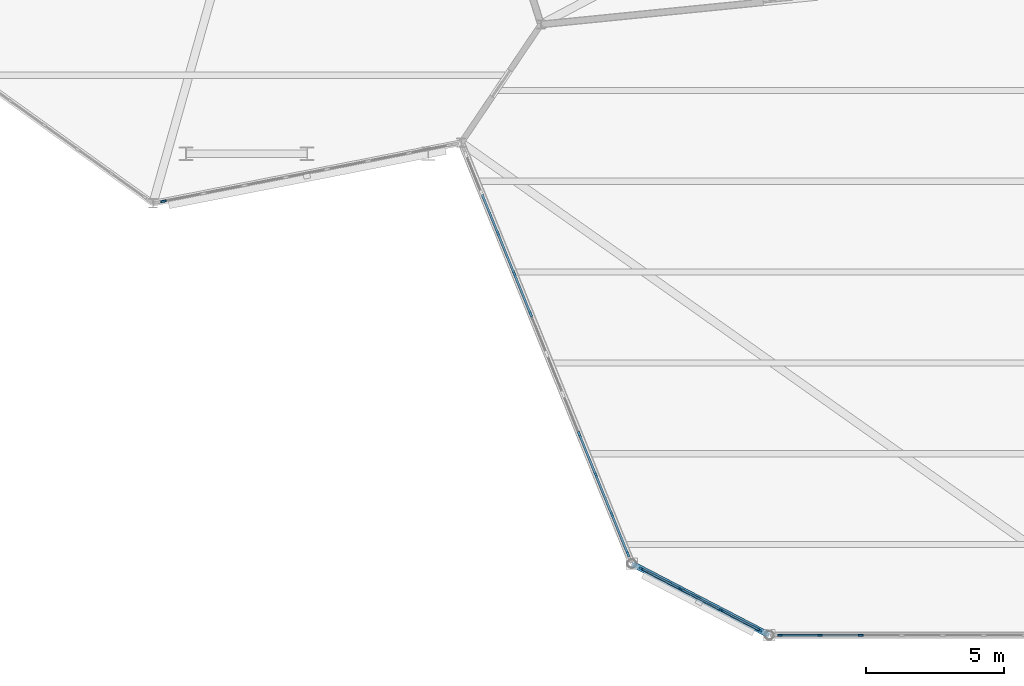
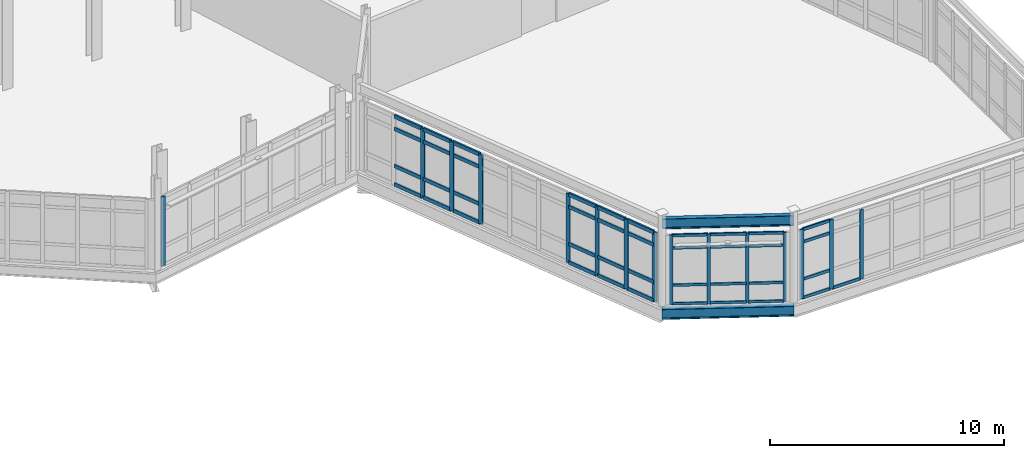
# One storey, part 65 of 134: 56 members, 2 beams, 4 elements without a shape of their own.
"""IFC4 building model written with IfcOpenShell, lengths in metres."""

import ifcopenshell
import ifcopenshell.guid

model = None  # the IFC model being written
_history = None  # IfcOwnerHistory: only IFC2X3 demands one
_inside = {}  # id of a spatial element -> (the spatial element, [elements in it])
_under = {}  # id of a project, library or spatial element -> (it, [spatial elements below it])
_declared = {}  # id of a project -> (the project, [libraries it declares])
_typed = {}  # id of a type object -> (the type object, [elements of that type])
_made_of = {}  # id of a material, layer set ... -> (it, [elements and type objects made of it])


def new_model(schema):
    """Start an empty IFC model of exactly this schema.

    Asked for "IFC4X3", IfcOpenShell would pick the latest addendum, in which some entities
    have other attributes; the version numbers below select the first issue.
    IFC2X3 requires an IfcOwnerHistory on every rooted entity: one is made here for all.
    """
    global model, _history
    if schema == "IFC4X3":
        model = ifcopenshell.file(schema_version=(4, 3, 0, 0))
    else:
        model = ifcopenshell.file(schema=schema)
    _inside.clear()
    _under.clear()
    _declared.clear()
    _typed.clear()
    _made_of.clear()
    _history = None
    if model.schema == "IFC2X3":
        org = make("IfcOrganization", Name="unknown")
        user = make(
            "IfcPersonAndOrganization",
            ThePerson=make("IfcPerson", FamilyName="unknown"),
            TheOrganization=org,
        )
        app = make(
            "IfcApplication",
            ApplicationDeveloper=org,
            Version="unknown",
            ApplicationFullName="unknown",
            ApplicationIdentifier="unknown",
        )
        _history = make(
            "IfcOwnerHistory",
            OwningUser=user,
            OwningApplication=app,
            ChangeAction="ADDED",
            CreationDate=0,
        )
    return model


def make(cls, **values):
    """One entity of the class cls with the attributes given. An attribute that is None is left unset."""
    return model.create_entity(
        cls, **{name: value for name, value in values.items() if value is not None}
    )


def rooted(cls, **values):
    """An entity with a GlobalId (a new one), such as an element, a storey or a relation."""
    return make(cls, GlobalId=ifcopenshell.guid.new(), OwnerHistory=_history, **values)


def si_unit(unit_type, name, prefix=None):
    """IfcSIUnit, for example si_unit("LENGTHUNIT", "METRE", prefix="MILLI")."""
    return make("IfcSIUnit", UnitType=unit_type, Prefix=prefix, Name=name)


def assignment(units):
    """IfcUnitAssignment: the units of a project."""
    return None if units is None else make("IfcUnitAssignment", Units=units)


def point(xyz):
    """IfcCartesianPoint."""
    return None if xyz is None else make("IfcCartesianPoint", Coordinates=xyz)


def direction(xyz):
    """IfcDirection."""
    return None if xyz is None else make("IfcDirection", DirectionRatios=xyz)


def frame(location, z_axis=None, x_axis=None):
    """IfcAxis2Placement3D, a coordinate frame: its origin and axes. An axis left out is left unset."""
    return make(
        "IfcAxis2Placement3D",
        Location=point(location),
        Axis=direction(z_axis),
        RefDirection=direction(x_axis),
    )


def frame_2d(location, x_axis=None):
    """IfcAxis2Placement2D, a coordinate frame in the plane: its origin and x axis."""
    return make(
        "IfcAxis2Placement2D", Location=point(location), RefDirection=direction(x_axis)
    )


def origin():
    """The frame at (0, 0, 0) with its axes left unset."""
    return frame((0.0, 0.0, 0.0))


def origin_2d():
    """The frame at (0, 0) in the plane with its x axis left unset."""
    return frame_2d((0.0, 0.0))


def place(relative_to, where):
    """IfcLocalPlacement: puts the frame where relative to a parent placement (None: the world)."""
    return make(
        "IfcLocalPlacement", PlacementRelTo=relative_to, RelativePlacement=where
    )


def context(
    kind, dimensions, precision=None, world=None, true_north=None, identifier=None
):
    """IfcGeometricRepresentationContext, for example the 3D "Model" context."""
    return make(
        "IfcGeometricRepresentationContext",
        ContextIdentifier=identifier,
        ContextType=kind,
        CoordinateSpaceDimension=dimensions,
        Precision=precision,
        WorldCoordinateSystem=world,
        TrueNorth=true_north,
    )


def subcontext(parent, identifier, kind, view, scale=None):
    """IfcGeometricRepresentationSubContext, for example "Body" below "Model"."""
    return make(
        "IfcGeometricRepresentationSubContext",
        ContextIdentifier=identifier,
        ContextType=kind,
        ParentContext=parent,
        TargetScale=scale,
        TargetView=view,
    )


def project(units=None, contexts=None):
    """IfcProject with its units and contexts."""
    return rooted(
        "IfcProject",
        Name="project",
        RepresentationContexts=contexts,
        UnitsInContext=assignment(units),
    )


def spatial(cls, under=None, at=None, **own):
    """A site, building, storey or space (cls), placed at a placement, below another one or the project."""
    s = rooted(cls, ObjectPlacement=at, **own)
    if under is not None:
        _under.setdefault(under.id(), (under, []))[1].append(s)
    return s


def profile(cls, at=None, kind="AREA", **sizes):
    """A parametric profile (cls). Its sizes go by their IFC names, for example OverallWidth=200.0."""
    return make(cls, ProfileType=kind, Position=at, **sizes)


def rectangle(**sizes):
    """IfcRectangleProfileDef."""
    return profile("IfcRectangleProfileDef", **sizes)


def i_section(**sizes):
    """IfcIShapeProfileDef."""
    return profile("IfcIShapeProfileDef", **sizes)


def extrude(swept, where, along, depth):
    """IfcExtrudedAreaSolid: the profile swept, set in the frame where, extruded along a direction by depth."""
    return make(
        "IfcExtrudedAreaSolid",
        SweptArea=swept,
        Position=where,
        ExtrudedDirection=direction(along),
        Depth=depth,
    )


def shape(context_of_items, identifier, shape_type, items):
    """IfcShapeRepresentation: the items that make up one representation, for example the "Body"."""
    return make(
        "IfcShapeRepresentation",
        ContextOfItems=context_of_items,
        RepresentationIdentifier=identifier,
        RepresentationType=shape_type,
        Items=items,
    )


def material(Name=None, Category=None):
    """IfcMaterial."""
    return make("IfcMaterial", Name=Name, Category=Category)


def material_profile(
    of_material, cross_section, Name=None, Category=None, Priority=None
):
    """IfcMaterialProfile: a cross section and its material."""
    return make(
        "IfcMaterialProfile",
        Name=Name,
        Material=of_material,
        Profile=cross_section,
        Priority=Priority,
        Category=Category,
    )


def profile_set(profiles, Name=None, composite=None):
    """IfcMaterialProfileSet."""
    return make(
        "IfcMaterialProfileSet",
        Name=Name,
        MaterialProfiles=profiles,
        CompositeProfile=composite,
    )


def made_of(thing, what):
    """Note that an element or type object is made of a material, layer set ...; save() writes the relation."""
    if what is not None:
        _made_of.setdefault(what.id(), (what, []))[1].append(thing)
    return thing


def type_object(cls, material=None, **own):
    """A type object (cls), such as IfcWallType, which elements share."""
    return made_of(rooted(cls, **own), material)


def element(
    cls,
    number,
    at=None,
    inside=None,
    cuts=None,
    type_object=None,
    material=None,
    context=None,
    identifier="Body",
    shape_type=None,
    held_by="IfcProductDefinitionShape",
    body=None,
    shapes=None,
    **own,
):
    """One element of the class cls, such as IfcWall. Its Tag is "e" and its number.

    at: its placement. inside: the storey or other place that contains it. cuts: it is an
    opening in that element (IfcRelVoidsElement). A single representation is given by context,
    identifier, shape_type and body (its items); several are given by shapes. held_by: the class
    of the entity that holds the representations. save() writes the other relations.
    """
    e = rooted(cls, Tag="e%d" % number, ObjectPlacement=at, **own)
    if body is not None:
        shapes = [shape(context, identifier, shape_type, body)]
    if shapes is not None:
        e.Representation = make(held_by, Representations=shapes)
    if inside is not None:
        _inside.setdefault(inside.id(), (inside, []))[1].append(e)
    if cuts is not None:
        rooted(
            "IfcRelVoidsElement", RelatingBuildingElement=cuts, RelatedOpeningElement=e
        )
    if type_object is not None:
        _typed.setdefault(type_object.id(), (type_object, []))[1].append(e)
    return made_of(e, material)


def aggregate(whole, parts):
    """IfcRelAggregates: a whole, such as a stair, and the parts it consists of."""
    return rooted("IfcRelAggregates", RelatingObject=whole, RelatedObjects=parts)


def save(model, path):
    """Write the relations noted so far, then the file.

    IfcRelAggregates (storeys below a building ...), IfcRelContainedInSpatialStructure (elements
    in a storey), IfcRelDefinesByType, IfcRelAssociatesMaterial and IfcRelDeclares: one each for
    every whole, place, type object, material and project.
    """
    for whole, parts in _under.values():
        aggregate(whole, parts)
    for where, things in _inside.values():
        rooted(
            "IfcRelContainedInSpatialStructure",
            RelatedElements=things,
            RelatingStructure=where,
        )
    for kind, things in _typed.values():
        rooted("IfcRelDefinesByType", RelatedObjects=things, RelatingType=kind)
    for what, things in _made_of.values():
        rooted("IfcRelAssociatesMaterial", RelatedObjects=things, RelatingMaterial=what)
    for by, libraries in _declared.values():
        rooted("IfcRelDeclares", RelatingContext=by, RelatedDefinitions=libraries)
    model.write(path)


model = new_model("IFC4")

# Units and contexts
model_context = context("Model", 3, precision=1e-05, world=origin(), true_north=direction((0.0, 1.0)))
body_context = subcontext(model_context, "Body", "Model", "MODEL_VIEW")
ifc_project = project(units=[si_unit("LENGTHUNIT", "METRE"), si_unit("AREAUNIT", "SQUARE_METRE"), si_unit("VOLUMEUNIT", "CUBIC_METRE"), si_unit("PLANEANGLEUNIT", "RADIAN"), si_unit("MASSUNIT", "GRAM", prefix="KILO")], contexts=[model_context])

# Site, building, storey
site_placement = place(None, origin())
site = spatial("IfcSite", under=ifc_project, at=site_placement, CompositionType="ELEMENT")
building_placement = place(site_placement, origin())
building = spatial("IfcBuilding", under=site, at=building_placement, Name="Tameran Prism Museum", CompositionType="ELEMENT")
storey_placement = place(building_placement, frame((0.0, 0.0, 5.39990234375)))
storey = spatial("IfcBuildingStorey", under=building, at=storey_placement, Name="L01", CompositionType="ELEMENT", Elevation=5.39990234375)

# Beams
ifc_material_1 = material(Name="Steel Grade 300PLUS (300 MPa)", Category="steel")
ifc_material_profile_1 = material_profile(ifc_material_1, i_section(OverallWidth=0.208984375, OverallDepth=0.528076171875, WebThickness=0.009521484375, FlangeThickness=0.01318359375, FilletRadius=0.013916015625, at=origin_2d()))
ifc_profile_set_1 = profile_set([ifc_material_profile_1])
beam_type = type_object("IfcBeamType", Name="BM-SP530B", PredefinedType="SPANDREL", material=ifc_profile_set_1)
for number, where, z_axis, x_axis, name in (
    (1, (147.300048828125, 2.60009765625, -0.4638671875), (0.887209708306, -0.461366376634, 0.0), (0.461366376634, 0.887209708306, 0.0), "Perimeter Spandrel SP-0372"),
    (2, (147.300048828125, 2.60009765625, 4.256103515625), (0.887209708306, -0.461366376634, 0.0), (0.461366376634, 0.887209708306, 0.0), "Roof Ring Beam RB-0378"),
):
    element("IfcBeam", number, at=place(storey_placement, frame(where, z_axis=z_axis, x_axis=x_axis)), inside=storey, type_object=beam_type, Name=name, PredefinedType="SPANDREL", context=body_context, shape_type="SweptSolid", body=[
        extrude(i_section(OverallWidth=0.208984375, OverallDepth=0.528076171875, WebThickness=0.009521484375, FlangeThickness=0.01318359375, FilletRadius=0.013916015625, at=origin_2d()), origin(), (0.0, 0.0, 1.0), 5.6357421875),
    ])

# Curtain wall, members
ifc_material_2 = material(Name="Anodised Aluminium 6063-T6 and Cyclone Solar Glass", Category="aluminium")
curtain_wall_type_1 = type_object("IfcCurtainWallType", Name="CW-FAC-494x362", PredefinedType="USERDEFINED", material=ifc_material_2)
curtain_wall_1_placement = place(storey_placement, origin())
curtain_wall_1 = element("IfcCurtainWall", 3, at=curtain_wall_1_placement, inside=storey, type_object=curtain_wall_type_1, Name="Unitised Curtain Wall CW-079", ObjectType="UNITISED CURTAIN WALL", PredefinedType="USERDEFINED")
ifc_material_3 = material(Name="Anodised Aluminium Alloy 6063-T6", Category="aluminium")
ifc_material_profile_2 = material_profile(ifc_material_3, rectangle(XDim=0.06494140625, YDim=0.159912109375, at=origin_2d()))
ifc_profile_set_2 = profile_set([ifc_material_profile_2])
member_type_1 = type_object("IfcMemberType", Name="CW-MUL-A", PredefinedType="MULLION", material=ifc_profile_set_2)
member_1_placement = place(storey_placement, frame((151.960205078125, 0.176025390625, 0.0), z_axis=(0.0, 0.0, 1.0), x_axis=(-0.461582398188, -0.887097339463, 0.0)))
member_1 = element("IfcMember", 4, at=member_1_placement, type_object=member_type_1, Name="CW-079 mullion 1", PredefinedType="MULLION", context=body_context, shape_type="SweptSolid", body=[
    extrude(rectangle(XDim=0.06494140625, YDim=0.159912109375, at=origin_2d()), origin(), (0.0, 0.0, 1.0), 3.6201171875),
])
member_2_placement = place(storey_placement, frame((150.52978515625, 0.92041015625, 0.0), z_axis=(0.0, 0.0, 1.0), x_axis=(-0.461582398188, -0.887097339463, 0.0)))
member_2 = element("IfcMember", 5, at=member_2_placement, type_object=member_type_1, Name="CW-079 mullion 2", PredefinedType="MULLION", context=body_context, shape_type="SweptSolid", body=[
    extrude(rectangle(XDim=0.06494140625, YDim=0.159912109375, at=origin_2d()), origin(), (0.0, 0.0, 1.0), 3.6201171875),
])
member_3_placement = place(storey_placement, frame((149.0703125, 1.6796875, 0.0), z_axis=(0.0, 0.0, 1.0), x_axis=(-0.461582398188, -0.887097339463, 0.0)))
member_3 = element("IfcMember", 6, at=member_3_placement, type_object=member_type_1, Name="CW-079 mullion 3", PredefinedType="MULLION", context=body_context, shape_type="SweptSolid", body=[
    extrude(rectangle(XDim=0.06494140625, YDim=0.159912109375, at=origin_2d()), origin(), (0.0, 0.0, 1.0), 3.6201171875),
])
member_4_placement = place(storey_placement, frame((147.639892578125, 2.424072265625, 0.0), z_axis=(0.0, 0.0, 1.0), x_axis=(-0.461582398188, -0.887097339463, 0.0)))
member_4 = element("IfcMember", 7, at=member_4_placement, type_object=member_type_1, Name="CW-079 mullion 4", PredefinedType="MULLION", context=body_context, shape_type="SweptSolid", body=[
    extrude(rectangle(XDim=0.06494140625, YDim=0.159912109375, at=origin_2d()), origin(), (0.0, 0.0, 1.0), 3.6201171875),
])

ifc_material_4 = material(Name="Anodised Aluminium 6063-T6 and Cyclone Solar Glass", Category="aluminium")
curtain_wall_type_2 = type_object("IfcCurtainWallType", Name="CW-FAC-1340x362", PredefinedType="USERDEFINED", material=ifc_material_4)
curtain_wall_2_placement = place(storey_placement, origin())
curtain_wall_2 = element("IfcCurtainWall", 8, at=curtain_wall_2_placement, inside=storey, type_object=curtain_wall_type_2, Name="Unitised Curtain Wall CW-080", ObjectType="UNITISED CURTAIN WALL", PredefinedType="USERDEFINED")
ifc_material_5 = material(Name="Anodised Aluminium Alloy 6063-T6", Category="aluminium")
ifc_material_profile_3 = material_profile(ifc_material_5, rectangle(XDim=0.070068359375, YDim=0.179931640625, at=origin_2d()))
ifc_profile_set_3 = profile_set([ifc_material_profile_3])
member_type_2 = type_object("IfcMemberType", Name="CW-MUL-B", PredefinedType="MULLION", material=ifc_profile_set_3)
member_5_placement = place(storey_placement, frame((155.627685546875, 0.0, 0.0), z_axis=(0.0, 0.0, 1.0), x_axis=(0.0, -1.0, 0.0)))
member_5 = element("IfcMember", 9, at=member_5_placement, type_object=member_type_2, Name="CW-080 mullion 8", PredefinedType="MULLION", context=body_context, shape_type="SweptSolid", body=[
    extrude(rectangle(XDim=0.070068359375, YDim=0.179931640625, at=origin_2d()), origin(), (0.0, 0.0, 1.0), 3.6201171875),
])
member_6_placement = place(storey_placement, frame((154.138916015625, 0.0, 0.0), z_axis=(0.0, 0.0, 1.0), x_axis=(0.0, -1.0, 0.0)))
member_6 = element("IfcMember", 10, at=member_6_placement, type_object=member_type_2, Name="CW-080 mullion 9", PredefinedType="MULLION", context=body_context, shape_type="SweptSolid", body=[
    extrude(rectangle(XDim=0.070068359375, YDim=0.179931640625, at=origin_2d()), origin(), (0.0, 0.0, 1.0), 3.6201171875),
])
member_7_placement = place(storey_placement, frame((152.68505859375, 0.0, 0.0), z_axis=(0.0, 0.0, 1.0), x_axis=(0.0, -1.0, 0.0)))
member_7 = element("IfcMember", 11, at=member_7_placement, type_object=member_type_2, Name="CW-080 mullion 10", PredefinedType="MULLION", context=body_context, shape_type="SweptSolid", body=[
    extrude(rectangle(XDim=0.070068359375, YDim=0.179931640625, at=origin_2d()), origin(), (0.0, 0.0, 1.0), 3.6201171875),
])

# Curtain wall, member
ifc_material_6 = material(Name="Anodised Aluminium 6063-T6 and Cyclone Solar Glass", Category="aluminium")
curtain_wall_type_3 = type_object("IfcCurtainWallType", Name="CW-FAC-1065x362", PredefinedType="USERDEFINED", material=ifc_material_6)
curtain_wall_3_placement = place(storey_placement, origin())
curtain_wall_3 = element("IfcCurtainWall", 12, at=curtain_wall_3_placement, inside=storey, type_object=curtain_wall_type_3, Name="Unitised Curtain Wall CW-077", ObjectType="UNITISED CURTAIN WALL", PredefinedType="USERDEFINED")
ifc_material_7 = material(Name="Anodised Aluminium Alloy 6063-T6", Category="aluminium")
ifc_material_profile_4 = material_profile(ifc_material_7, rectangle(XDim=0.074951171875, YDim=0.199951171875, at=origin_2d()))
ifc_profile_set_4 = profile_set([ifc_material_profile_4])
member_type_3 = type_object("IfcMemberType", Name="CW-MUL-C", PredefinedType="MULLION", material=ifc_profile_set_4)
member_8_placement = place(storey_placement, frame((130.27978515625, 15.774169921875, 0.0), z_axis=(0.0, 0.0, 1.0), x_axis=(0.192775964228, -0.981242797485, 0.0)))
member_8 = element("IfcMember", 13, at=member_8_placement, type_object=member_type_3, Name="CW-077 mullion 8", PredefinedType="MULLION", context=body_context, shape_type="SweptSolid", body=[
    extrude(rectangle(XDim=0.074951171875, YDim=0.199951171875, at=origin_2d()), origin(), (0.0, 0.0, 1.0), 3.6201171875),
])
aggregate(curtain_wall_3, [member_8])

# Curtain wall, members
ifc_material_8 = material(Name="Anodised Aluminium 6063-T6 and Cyclone Solar Glass", Category="aluminium")
curtain_wall_type_4 = type_object("IfcCurtainWallType", Name="CW-FAC-1575x362", PredefinedType="USERDEFINED", material=ifc_material_8)
curtain_wall_4_placement = place(storey_placement, origin())
curtain_wall_4 = element("IfcCurtainWall", 14, at=curtain_wall_4_placement, inside=storey, type_object=curtain_wall_type_4, Name="Unitised Curtain Wall CW-078", ObjectType="UNITISED CURTAIN WALL", PredefinedType="USERDEFINED")
ifc_material_9 = material(Name="Anodised Aluminium Alloy 6063-T6", Category="aluminium")
ifc_material_profile_5 = material_profile(ifc_material_9, rectangle(XDim=0.080078125, YDim=0.219970703125, at=origin_2d()))
ifc_profile_set_5 = profile_set([ifc_material_profile_5])
member_type_4 = type_object("IfcMemberType", Name="CW-MUL-D", PredefinedType="MULLION", material=ifc_profile_set_5)
member_9_placement = place(storey_placement, frame((147.154052734375, 2.961181640625, 0.0), z_axis=(0.0, 0.0, 1.0), x_axis=(-0.926790048719, -0.375579825863, 0.0)))
member_9 = element("IfcMember", 15, at=member_9_placement, type_object=member_type_4, Name="CW-078 mullion 1", PredefinedType="MULLION", context=body_context, shape_type="SweptSolid", body=[
    extrude(rectangle(XDim=0.080078125, YDim=0.219970703125, at=origin_2d()), origin(), (0.0, 0.0, 1.0), 3.6201171875),
])
member_10_placement = place(storey_placement, frame((146.577392578125, 4.383544921875, 0.0), z_axis=(0.0, 0.0, 1.0), x_axis=(-0.926790048719, -0.375579825863, 0.0)))
member_10 = element("IfcMember", 16, at=member_10_placement, type_object=member_type_4, Name="CW-078 mullion 2", PredefinedType="MULLION", context=body_context, shape_type="SweptSolid", body=[
    extrude(rectangle(XDim=0.080078125, YDim=0.219970703125, at=origin_2d()), origin(), (0.0, 0.0, 1.0), 3.6201171875),
])
member_11_placement = place(storey_placement, frame((145.986083984375, 5.84326171875, 0.0), z_axis=(0.0, 0.0, 1.0), x_axis=(-0.926790048719, -0.375579825863, 0.0)))
member_11 = element("IfcMember", 17, at=member_11_placement, type_object=member_type_4, Name="CW-078 mullion 3", PredefinedType="MULLION", context=body_context, shape_type="SweptSolid", body=[
    extrude(rectangle(XDim=0.080078125, YDim=0.219970703125, at=origin_2d()), origin(), (0.0, 0.0, 1.0), 3.6201171875),
])
member_12_placement = place(storey_placement, frame((145.39453125, 7.302734375, 0.0), z_axis=(0.0, 0.0, 1.0), x_axis=(-0.926790048719, -0.375579825863, 0.0)))
member_12 = element("IfcMember", 18, at=member_12_placement, type_object=member_type_4, Name="CW-078 mullion 4", PredefinedType="MULLION", context=body_context, shape_type="SweptSolid", body=[
    extrude(rectangle(XDim=0.080078125, YDim=0.219970703125, at=origin_2d()), origin(), (0.0, 0.0, 1.0), 3.6201171875),
])
member_13_placement = place(storey_placement, frame((143.6201171875, 11.681640625, 0.0), z_axis=(0.0, 0.0, 1.0), x_axis=(-0.926790048719, -0.375579825863, 0.0)))
member_13 = element("IfcMember", 19, at=member_13_placement, type_object=member_type_4, Name="CW-078 mullion 7", PredefinedType="MULLION", context=body_context, shape_type="SweptSolid", body=[
    extrude(rectangle(XDim=0.080078125, YDim=0.219970703125, at=origin_2d()), origin(), (0.0, 0.0, 1.0), 3.6201171875),
])
member_14_placement = place(storey_placement, frame((143.028564453125, 13.14111328125, 0.0), z_axis=(0.0, 0.0, 1.0), x_axis=(-0.926790048719, -0.375579825863, 0.0)))
member_14 = element("IfcMember", 20, at=member_14_placement, type_object=member_type_4, Name="CW-078 mullion 8", PredefinedType="MULLION", context=body_context, shape_type="SweptSolid", body=[
    extrude(rectangle(XDim=0.080078125, YDim=0.219970703125, at=origin_2d()), origin(), (0.0, 0.0, 1.0), 3.6201171875),
])
member_15_placement = place(storey_placement, frame((142.43701171875, 14.600830078125, 0.0), z_axis=(0.0, 0.0, 1.0), x_axis=(-0.926790048719, -0.375579825863, 0.0)))
member_15 = element("IfcMember", 21, at=member_15_placement, type_object=member_type_4, Name="CW-078 mullion 9", PredefinedType="MULLION", context=body_context, shape_type="SweptSolid", body=[
    extrude(rectangle(XDim=0.080078125, YDim=0.219970703125, at=origin_2d()), origin(), (0.0, 0.0, 1.0), 3.6201171875),
])

# Member
ifc_material_10 = material(Name="Anodised Aluminium Alloy 6063-T6", Category="aluminium")
ifc_material_profile_6 = material_profile(ifc_material_10, rectangle(XDim=0.06494140625, YDim=0.139892578125, at=origin_2d()))
ifc_profile_set_6 = profile_set([ifc_material_profile_6])
member_type_5 = type_object("IfcMemberType", Name="CW-TRN-A", PredefinedType="USERDEFINED", material=ifc_profile_set_6)
member_16_placement = place(storey_placement, frame((151.931396484375, 0.19091796875, 0.03271484375), z_axis=(-0.887085033398, 0.461606047968, 0.0), x_axis=(-0.461606047968, -0.887085033398, 0.0)))
member_16 = element("IfcMember", 22, at=member_16_placement, type_object=member_type_5, Name="CW-079 transom 1.1", ObjectType="TRANSOM", PredefinedType="USERDEFINED", context=body_context, shape_type="SweptSolid", body=[
    extrude(rectangle(XDim=0.06494140625, YDim=0.139892578125, at=origin_2d()), origin(), (0.0, 0.0, 1.0), 1.547607421875),
])

member_17_placement = place(storey_placement, frame((151.931396484375, 0.19091796875, 1.0), z_axis=(-0.887085033398, 0.461606047968, 0.0), x_axis=(-0.461606047968, -0.887085033398, 0.0)))
member_17 = element("IfcMember", 23, at=member_17_placement, type_object=member_type_5, Name="CW-079 transom 1.2", ObjectType="TRANSOM", PredefinedType="USERDEFINED", context=body_context, shape_type="SweptSolid", body=[
    extrude(rectangle(XDim=0.06494140625, YDim=0.139892578125, at=origin_2d()), origin(), (0.0, 0.0, 1.0), 1.547607421875),
])

member_18_placement = place(storey_placement, frame((151.931396484375, 0.19091796875, 2.940185546875), z_axis=(-0.887085033398, 0.461606047968, 0.0), x_axis=(-0.461606047968, -0.887085033398, 0.0)))
member_18 = element("IfcMember", 24, at=member_18_placement, type_object=member_type_5, Name="CW-079 transom 1.3", ObjectType="TRANSOM", PredefinedType="USERDEFINED", context=body_context, shape_type="SweptSolid", body=[
    extrude(rectangle(XDim=0.06494140625, YDim=0.139892578125, at=origin_2d()), origin(), (0.0, 0.0, 1.0), 1.547607421875),
])

member_19_placement = place(storey_placement, frame((151.931396484375, 0.19091796875, 3.587646484375), z_axis=(-0.887085033398, 0.461606047968, 0.0), x_axis=(-0.461606047968, -0.887085033398, 0.0)))
member_19 = element("IfcMember", 25, at=member_19_placement, type_object=member_type_5, Name="CW-079 transom 1.4", ObjectType="TRANSOM", PredefinedType="USERDEFINED", context=body_context, shape_type="SweptSolid", body=[
    extrude(rectangle(XDim=0.06494140625, YDim=0.139892578125, at=origin_2d()), origin(), (0.0, 0.0, 1.0), 1.547607421875),
])

member_20_placement = place(storey_placement, frame((150.500732421875, 0.935302734375, 0.03271484375), z_axis=(-0.887110519535, 0.461557067036, 0.0), x_axis=(-0.461557067036, -0.887110519535, 0.0)))
member_20 = element("IfcMember", 26, at=member_20_placement, type_object=member_type_5, Name="CW-079 transom 2.1", ObjectType="TRANSOM", PredefinedType="USERDEFINED", context=body_context, shape_type="SweptSolid", body=[
    extrude(rectangle(XDim=0.06494140625, YDim=0.139892578125, at=origin_2d()), origin(), (0.0, 0.0, 1.0), 1.580078125),
])

member_21_placement = place(storey_placement, frame((150.500732421875, 0.935302734375, 1.0), z_axis=(-0.887110519535, 0.461557067036, 0.0), x_axis=(-0.461557067036, -0.887110519535, 0.0)))
member_21 = element("IfcMember", 27, at=member_21_placement, type_object=member_type_5, Name="CW-079 transom 2.2", ObjectType="TRANSOM", PredefinedType="USERDEFINED", context=body_context, shape_type="SweptSolid", body=[
    extrude(rectangle(XDim=0.06494140625, YDim=0.139892578125, at=origin_2d()), origin(), (0.0, 0.0, 1.0), 1.580078125),
])

member_22_placement = place(storey_placement, frame((150.500732421875, 0.935302734375, 2.940185546875), z_axis=(-0.887110519535, 0.461557067036, 0.0), x_axis=(-0.461557067036, -0.887110519535, 0.0)))
member_22 = element("IfcMember", 28, at=member_22_placement, type_object=member_type_5, Name="CW-079 transom 2.3", ObjectType="TRANSOM", PredefinedType="USERDEFINED", context=body_context, shape_type="SweptSolid", body=[
    extrude(rectangle(XDim=0.06494140625, YDim=0.139892578125, at=origin_2d()), origin(), (0.0, 0.0, 1.0), 1.580078125),
])

member_23_placement = place(storey_placement, frame((150.500732421875, 0.935302734375, 3.587646484375), z_axis=(-0.887110519535, 0.461557067036, 0.0), x_axis=(-0.461557067036, -0.887110519535, 0.0)))
member_23 = element("IfcMember", 29, at=member_23_placement, type_object=member_type_5, Name="CW-079 transom 2.4", ObjectType="TRANSOM", PredefinedType="USERDEFINED", context=body_context, shape_type="SweptSolid", body=[
    extrude(rectangle(XDim=0.06494140625, YDim=0.139892578125, at=origin_2d()), origin(), (0.0, 0.0, 1.0), 1.580078125),
])

member_24_placement = place(storey_placement, frame((149.04150390625, 1.694580078125, 0.03271484375), z_axis=(-0.887085033398, 0.461606047968, 0.0), x_axis=(-0.461606047968, -0.887085033398, 0.0)))
member_24 = element("IfcMember", 30, at=member_24_placement, type_object=member_type_5, Name="CW-079 transom 3.1", ObjectType="TRANSOM", PredefinedType="USERDEFINED", context=body_context, shape_type="SweptSolid", body=[
    extrude(rectangle(XDim=0.06494140625, YDim=0.139892578125, at=origin_2d()), origin(), (0.0, 0.0, 1.0), 1.547607421875),
])

member_25_placement = place(storey_placement, frame((149.04150390625, 1.694580078125, 1.0), z_axis=(-0.887085033398, 0.461606047968, 0.0), x_axis=(-0.461606047968, -0.887085033398, 0.0)))
member_25 = element("IfcMember", 31, at=member_25_placement, type_object=member_type_5, Name="CW-079 transom 3.2", ObjectType="TRANSOM", PredefinedType="USERDEFINED", context=body_context, shape_type="SweptSolid", body=[
    extrude(rectangle(XDim=0.06494140625, YDim=0.139892578125, at=origin_2d()), origin(), (0.0, 0.0, 1.0), 1.547607421875),
])

member_26_placement = place(storey_placement, frame((149.04150390625, 1.694580078125, 2.940185546875), z_axis=(-0.887085033398, 0.461606047968, 0.0), x_axis=(-0.461606047968, -0.887085033398, 0.0)))
member_26 = element("IfcMember", 32, at=member_26_placement, type_object=member_type_5, Name="CW-079 transom 3.3", ObjectType="TRANSOM", PredefinedType="USERDEFINED", context=body_context, shape_type="SweptSolid", body=[
    extrude(rectangle(XDim=0.06494140625, YDim=0.139892578125, at=origin_2d()), origin(), (0.0, 0.0, 1.0), 1.547607421875),
])

member_27_placement = place(storey_placement, frame((149.04150390625, 1.694580078125, 3.587646484375), z_axis=(-0.887085033398, 0.461606047968, 0.0), x_axis=(-0.461606047968, -0.887085033398, 0.0)))
member_27 = element("IfcMember", 33, at=member_27_placement, type_object=member_type_5, Name="CW-079 transom 3.4", ObjectType="TRANSOM", PredefinedType="USERDEFINED", context=body_context, shape_type="SweptSolid", body=[
    extrude(rectangle(XDim=0.06494140625, YDim=0.139892578125, at=origin_2d()), origin(), (0.0, 0.0, 1.0), 1.547607421875),
])

aggregate(curtain_wall_1, [member_1, member_2, member_3, member_4, member_16, member_17, member_18, member_19, member_20, member_21, member_22, member_23, member_24, member_25, member_26, member_27])

ifc_material_11 = material(Name="Anodised Aluminium Alloy 6063-T6", Category="aluminium")
ifc_material_profile_7 = material_profile(ifc_material_11, rectangle(XDim=0.070068359375, YDim=0.155029296875, at=origin_2d()))
ifc_profile_set_7 = profile_set([ifc_material_profile_7])
member_type_6 = type_object("IfcMemberType", Name="CW-TRN-B", PredefinedType="USERDEFINED", material=ifc_profile_set_7)
member_28_placement = place(storey_placement, frame((155.5927734375, 0.0, 0.03515625), z_axis=(-1.0, 0.0, 0.0), x_axis=(0.0, -1.0, 0.0)))
member_28 = element("IfcMember", 34, at=member_28_placement, type_object=member_type_6, Name="CW-080 transom 8.1", ObjectType="TRANSOM", PredefinedType="USERDEFINED", context=body_context, shape_type="SweptSolid", body=[
    extrude(rectangle(XDim=0.070068359375, YDim=0.155029296875, at=origin_2d()), origin(), (0.0, 0.0, 1.0), 1.4189453125),
])

member_29_placement = place(storey_placement, frame((154.10400390625, 0.0, 0.03515625), z_axis=(-1.0, 0.0, 0.0), x_axis=(0.0, -1.0, 0.0)))
member_29 = element("IfcMember", 35, at=member_29_placement, type_object=member_type_6, Name="CW-080 transom 9.1", ObjectType="TRANSOM", PredefinedType="USERDEFINED", context=body_context, shape_type="SweptSolid", body=[
    extrude(rectangle(XDim=0.070068359375, YDim=0.155029296875, at=origin_2d()), origin(), (0.0, 0.0, 1.0), 1.384033203125),
])

member_30_placement = place(storey_placement, frame((154.10400390625, 0.0, 1.0), z_axis=(-1.0, 0.0, 0.0), x_axis=(0.0, -1.0, 0.0)))
member_30 = element("IfcMember", 36, at=member_30_placement, type_object=member_type_6, Name="CW-080 transom 9.2", ObjectType="TRANSOM", PredefinedType="USERDEFINED", context=body_context, shape_type="SweptSolid", body=[
    extrude(rectangle(XDim=0.070068359375, YDim=0.155029296875, at=origin_2d()), origin(), (0.0, 0.0, 1.0), 1.384033203125),
])

member_31_placement = place(storey_placement, frame((154.10400390625, 0.0, 2.940185546875), z_axis=(-1.0, 0.0, 0.0), x_axis=(0.0, -1.0, 0.0)))
member_31 = element("IfcMember", 37, at=member_31_placement, type_object=member_type_6, Name="CW-080 transom 9.3", ObjectType="TRANSOM", PredefinedType="USERDEFINED", context=body_context, shape_type="SweptSolid", body=[
    extrude(rectangle(XDim=0.070068359375, YDim=0.155029296875, at=origin_2d()), origin(), (0.0, 0.0, 1.0), 1.384033203125),
])

member_32_placement = place(storey_placement, frame((154.10400390625, 0.0, 3.585205078125), z_axis=(-1.0, 0.0, 0.0), x_axis=(0.0, -1.0, 0.0)))
member_32 = element("IfcMember", 38, at=member_32_placement, type_object=member_type_6, Name="CW-080 transom 9.4", ObjectType="TRANSOM", PredefinedType="USERDEFINED", context=body_context, shape_type="SweptSolid", body=[
    extrude(rectangle(XDim=0.070068359375, YDim=0.155029296875, at=origin_2d()), origin(), (0.0, 0.0, 1.0), 1.384033203125),
])

aggregate(curtain_wall_2, [member_5, member_6, member_7, member_28, member_29, member_30, member_31, member_32])

ifc_material_12 = material(Name="Anodised Aluminium Alloy 6063-T6", Category="aluminium")
ifc_material_profile_8 = material_profile(ifc_material_12, rectangle(XDim=0.080078125, YDim=0.195068359375, at=origin_2d()))
ifc_profile_set_8 = profile_set([ifc_material_profile_8])
member_type_7 = type_object("IfcMemberType", Name="CW-TRN-D", PredefinedType="USERDEFINED", material=ifc_profile_set_8)
member_33_placement = place(storey_placement, frame((147.138916015625, 2.998046875, 0.0400390625), z_axis=(-0.375553192633, 0.926800841337, 0.0), x_axis=(-0.926800841337, -0.375553192633, 0.0)))
member_33 = element("IfcMember", 39, at=member_33_placement, type_object=member_type_7, Name="CW-078 transom 1.1", ObjectType="TRANSOM", PredefinedType="USERDEFINED", context=body_context, shape_type="SweptSolid", body=[
    extrude(rectangle(XDim=0.080078125, YDim=0.195068359375, at=origin_2d()), origin(), (0.0, 0.0, 1.0), 1.454833984375),
])

member_34_placement = place(storey_placement, frame((147.138916015625, 2.998046875, 1.0), z_axis=(-0.375553192633, 0.926800841337, 0.0), x_axis=(-0.926800841337, -0.375553192633, 0.0)))
member_34 = element("IfcMember", 40, at=member_34_placement, type_object=member_type_7, Name="CW-078 transom 1.2", ObjectType="TRANSOM", PredefinedType="USERDEFINED", context=body_context, shape_type="SweptSolid", body=[
    extrude(rectangle(XDim=0.080078125, YDim=0.195068359375, at=origin_2d()), origin(), (0.0, 0.0, 1.0), 1.454833984375),
])

member_35_placement = place(storey_placement, frame((147.138916015625, 2.998046875, 2.940185546875), z_axis=(-0.375553192633, 0.926800841337, 0.0), x_axis=(-0.926800841337, -0.375553192633, 0.0)))
member_35 = element("IfcMember", 41, at=member_35_placement, type_object=member_type_7, Name="CW-078 transom 1.3", ObjectType="TRANSOM", PredefinedType="USERDEFINED", context=body_context, shape_type="SweptSolid", body=[
    extrude(rectangle(XDim=0.080078125, YDim=0.195068359375, at=origin_2d()), origin(), (0.0, 0.0, 1.0), 1.454833984375),
])

member_36_placement = place(storey_placement, frame((147.138916015625, 2.998046875, 3.580078125), z_axis=(-0.375553192633, 0.926800841337, 0.0), x_axis=(-0.926800841337, -0.375553192633, 0.0)))
member_36 = element("IfcMember", 42, at=member_36_placement, type_object=member_type_7, Name="CW-078 transom 1.4", ObjectType="TRANSOM", PredefinedType="USERDEFINED", context=body_context, shape_type="SweptSolid", body=[
    extrude(rectangle(XDim=0.080078125, YDim=0.195068359375, at=origin_2d()), origin(), (0.0, 0.0, 1.0), 1.454833984375),
])

member_37_placement = place(storey_placement, frame((146.5625, 4.420654296875, 0.0400390625), z_axis=(-0.375610338469, 0.926777682961, 0.0), x_axis=(-0.926777682961, -0.375610338469, 0.0)))
member_37 = element("IfcMember", 43, at=member_37_placement, type_object=member_type_7, Name="CW-078 transom 2.1", ObjectType="TRANSOM", PredefinedType="USERDEFINED", context=body_context, shape_type="SweptSolid", body=[
    extrude(rectangle(XDim=0.080078125, YDim=0.195068359375, at=origin_2d()), origin(), (0.0, 0.0, 1.0), 1.494873046875),
])

member_38_placement = place(storey_placement, frame((146.5625, 4.420654296875, 1.0), z_axis=(-0.375610338469, 0.926777682961, 0.0), x_axis=(-0.926777682961, -0.375610338469, 0.0)))
member_38 = element("IfcMember", 44, at=member_38_placement, type_object=member_type_7, Name="CW-078 transom 2.2", ObjectType="TRANSOM", PredefinedType="USERDEFINED", context=body_context, shape_type="SweptSolid", body=[
    extrude(rectangle(XDim=0.080078125, YDim=0.195068359375, at=origin_2d()), origin(), (0.0, 0.0, 1.0), 1.494873046875),
])

member_39_placement = place(storey_placement, frame((146.5625, 4.420654296875, 2.940185546875), z_axis=(-0.375610338469, 0.926777682961, 0.0), x_axis=(-0.926777682961, -0.375610338469, 0.0)))
member_39 = element("IfcMember", 45, at=member_39_placement, type_object=member_type_7, Name="CW-078 transom 2.3", ObjectType="TRANSOM", PredefinedType="USERDEFINED", context=body_context, shape_type="SweptSolid", body=[
    extrude(rectangle(XDim=0.080078125, YDim=0.195068359375, at=origin_2d()), origin(), (0.0, 0.0, 1.0), 1.494873046875),
])

member_40_placement = place(storey_placement, frame((146.5625, 4.420654296875, 3.580078125), z_axis=(-0.375610338469, 0.926777682961, 0.0), x_axis=(-0.926777682961, -0.375610338469, 0.0)))
member_40 = element("IfcMember", 46, at=member_40_placement, type_object=member_type_7, Name="CW-078 transom 2.4", ObjectType="TRANSOM", PredefinedType="USERDEFINED", context=body_context, shape_type="SweptSolid", body=[
    extrude(rectangle(XDim=0.080078125, YDim=0.195068359375, at=origin_2d()), origin(), (0.0, 0.0, 1.0), 1.494873046875),
])

member_41_placement = place(storey_placement, frame((145.970947265625, 5.88037109375, 0.0400390625), z_axis=(-0.375667195364, 0.926754637608, 0.0), x_axis=(-0.926754637608, -0.375667195364, 0.0)))
member_41 = element("IfcMember", 47, at=member_41_placement, type_object=member_type_7, Name="CW-078 transom 3.1", ObjectType="TRANSOM", PredefinedType="USERDEFINED", context=body_context, shape_type="SweptSolid", body=[
    extrude(rectangle(XDim=0.080078125, YDim=0.195068359375, at=origin_2d()), origin(), (0.0, 0.0, 1.0), 1.49462890625),
])

member_42_placement = place(storey_placement, frame((145.970947265625, 5.88037109375, 1.0), z_axis=(-0.375667195364, 0.926754637608, 0.0), x_axis=(-0.926754637608, -0.375667195364, 0.0)))
member_42 = element("IfcMember", 48, at=member_42_placement, type_object=member_type_7, Name="CW-078 transom 3.2", ObjectType="TRANSOM", PredefinedType="USERDEFINED", context=body_context, shape_type="SweptSolid", body=[
    extrude(rectangle(XDim=0.080078125, YDim=0.195068359375, at=origin_2d()), origin(), (0.0, 0.0, 1.0), 1.49462890625),
])

member_43_placement = place(storey_placement, frame((145.970947265625, 5.88037109375, 2.940185546875), z_axis=(-0.375667195364, 0.926754637608, 0.0), x_axis=(-0.926754637608, -0.375667195364, 0.0)))
member_43 = element("IfcMember", 49, at=member_43_placement, type_object=member_type_7, Name="CW-078 transom 3.3", ObjectType="TRANSOM", PredefinedType="USERDEFINED", context=body_context, shape_type="SweptSolid", body=[
    extrude(rectangle(XDim=0.080078125, YDim=0.195068359375, at=origin_2d()), origin(), (0.0, 0.0, 1.0), 1.49462890625),
])

member_44_placement = place(storey_placement, frame((145.970947265625, 5.88037109375, 3.580078125), z_axis=(-0.375667195364, 0.926754637608, 0.0), x_axis=(-0.926754637608, -0.375667195364, 0.0)))
member_44 = element("IfcMember", 50, at=member_44_placement, type_object=member_type_7, Name="CW-078 transom 3.4", ObjectType="TRANSOM", PredefinedType="USERDEFINED", context=body_context, shape_type="SweptSolid", body=[
    extrude(rectangle(XDim=0.080078125, YDim=0.195068359375, at=origin_2d()), origin(), (0.0, 0.0, 1.0), 1.49462890625),
])

member_45_placement = place(storey_placement, frame((143.60498046875, 11.71875, 0.0400390625), z_axis=(-0.375610338469, 0.926777682961, 0.0), x_axis=(-0.926777682961, -0.375610338469, 0.0)))
member_45 = element("IfcMember", 51, at=member_45_placement, type_object=member_type_7, Name="CW-078 transom 7.1", ObjectType="TRANSOM", PredefinedType="USERDEFINED", context=body_context, shape_type="SweptSolid", body=[
    extrude(rectangle(XDim=0.080078125, YDim=0.195068359375, at=origin_2d()), origin(), (0.0, 0.0, 1.0), 1.494873046875),
])

member_46_placement = place(storey_placement, frame((143.60498046875, 11.71875, 1.0), z_axis=(-0.375610338469, 0.926777682961, 0.0), x_axis=(-0.926777682961, -0.375610338469, 0.0)))
member_46 = element("IfcMember", 52, at=member_46_placement, type_object=member_type_7, Name="CW-078 transom 7.2", ObjectType="TRANSOM", PredefinedType="USERDEFINED", context=body_context, shape_type="SweptSolid", body=[
    extrude(rectangle(XDim=0.080078125, YDim=0.195068359375, at=origin_2d()), origin(), (0.0, 0.0, 1.0), 1.494873046875),
])

member_47_placement = place(storey_placement, frame((143.60498046875, 11.71875, 2.940185546875), z_axis=(-0.375610338469, 0.926777682961, 0.0), x_axis=(-0.926777682961, -0.375610338469, 0.0)))
member_47 = element("IfcMember", 53, at=member_47_placement, type_object=member_type_7, Name="CW-078 transom 7.3", ObjectType="TRANSOM", PredefinedType="USERDEFINED", context=body_context, shape_type="SweptSolid", body=[
    extrude(rectangle(XDim=0.080078125, YDim=0.195068359375, at=origin_2d()), origin(), (0.0, 0.0, 1.0), 1.494873046875),
])

member_48_placement = place(storey_placement, frame((143.60498046875, 11.71875, 3.580078125), z_axis=(-0.375610338469, 0.926777682961, 0.0), x_axis=(-0.926777682961, -0.375610338469, 0.0)))
member_48 = element("IfcMember", 54, at=member_48_placement, type_object=member_type_7, Name="CW-078 transom 7.4", ObjectType="TRANSOM", PredefinedType="USERDEFINED", context=body_context, shape_type="SweptSolid", body=[
    extrude(rectangle(XDim=0.080078125, YDim=0.195068359375, at=origin_2d()), origin(), (0.0, 0.0, 1.0), 1.494873046875),
])

member_49_placement = place(storey_placement, frame((143.013427734375, 13.17822265625, 0.0400390625), z_axis=(-0.375610338469, 0.926777682961, 0.0), x_axis=(-0.926777682961, -0.375610338469, 0.0)))
member_49 = element("IfcMember", 55, at=member_49_placement, type_object=member_type_7, Name="CW-078 transom 8.1", ObjectType="TRANSOM", PredefinedType="USERDEFINED", context=body_context, shape_type="SweptSolid", body=[
    extrude(rectangle(XDim=0.080078125, YDim=0.195068359375, at=origin_2d()), origin(), (0.0, 0.0, 1.0), 1.494873046875),
])

member_50_placement = place(storey_placement, frame((143.013427734375, 13.17822265625, 1.0), z_axis=(-0.375610338469, 0.926777682961, 0.0), x_axis=(-0.926777682961, -0.375610338469, 0.0)))
member_50 = element("IfcMember", 56, at=member_50_placement, type_object=member_type_7, Name="CW-078 transom 8.2", ObjectType="TRANSOM", PredefinedType="USERDEFINED", context=body_context, shape_type="SweptSolid", body=[
    extrude(rectangle(XDim=0.080078125, YDim=0.195068359375, at=origin_2d()), origin(), (0.0, 0.0, 1.0), 1.494873046875),
])

member_51_placement = place(storey_placement, frame((143.013427734375, 13.17822265625, 2.940185546875), z_axis=(-0.375610338469, 0.926777682961, 0.0), x_axis=(-0.926777682961, -0.375610338469, 0.0)))
member_51 = element("IfcMember", 57, at=member_51_placement, type_object=member_type_7, Name="CW-078 transom 8.3", ObjectType="TRANSOM", PredefinedType="USERDEFINED", context=body_context, shape_type="SweptSolid", body=[
    extrude(rectangle(XDim=0.080078125, YDim=0.195068359375, at=origin_2d()), origin(), (0.0, 0.0, 1.0), 1.494873046875),
])

member_52_placement = place(storey_placement, frame((143.013427734375, 13.17822265625, 3.580078125), z_axis=(-0.375610338469, 0.926777682961, 0.0), x_axis=(-0.926777682961, -0.375610338469, 0.0)))
member_52 = element("IfcMember", 58, at=member_52_placement, type_object=member_type_7, Name="CW-078 transom 8.4", ObjectType="TRANSOM", PredefinedType="USERDEFINED", context=body_context, shape_type="SweptSolid", body=[
    extrude(rectangle(XDim=0.080078125, YDim=0.195068359375, at=origin_2d()), origin(), (0.0, 0.0, 1.0), 1.494873046875),
])

member_53_placement = place(storey_placement, frame((142.421875, 14.637939453125, 0.0400390625), z_axis=(-0.375470056843, 0.926834524829, 0.0), x_axis=(-0.926834524829, -0.375470056843, 0.0)))
member_53 = element("IfcMember", 59, at=member_53_placement, type_object=member_type_7, Name="CW-078 transom 9.1", ObjectType="TRANSOM", PredefinedType="USERDEFINED", context=body_context, shape_type="SweptSolid", body=[
    extrude(rectangle(XDim=0.080078125, YDim=0.195068359375, at=origin_2d()), origin(), (0.0, 0.0, 1.0), 1.494873046875),
])

member_54_placement = place(storey_placement, frame((142.421875, 14.637939453125, 1.0), z_axis=(-0.375470056843, 0.926834524829, 0.0), x_axis=(-0.926834524829, -0.375470056843, 0.0)))
member_54 = element("IfcMember", 60, at=member_54_placement, type_object=member_type_7, Name="CW-078 transom 9.2", ObjectType="TRANSOM", PredefinedType="USERDEFINED", context=body_context, shape_type="SweptSolid", body=[
    extrude(rectangle(XDim=0.080078125, YDim=0.195068359375, at=origin_2d()), origin(), (0.0, 0.0, 1.0), 1.494873046875),
])

member_55_placement = place(storey_placement, frame((142.421875, 14.637939453125, 2.940185546875), z_axis=(-0.375470056843, 0.926834524829, 0.0), x_axis=(-0.926834524829, -0.375470056843, 0.0)))
member_55 = element("IfcMember", 61, at=member_55_placement, type_object=member_type_7, Name="CW-078 transom 9.3", ObjectType="TRANSOM", PredefinedType="USERDEFINED", context=body_context, shape_type="SweptSolid", body=[
    extrude(rectangle(XDim=0.080078125, YDim=0.195068359375, at=origin_2d()), origin(), (0.0, 0.0, 1.0), 1.494873046875),
])

member_56_placement = place(storey_placement, frame((142.421875, 14.637939453125, 3.580078125), z_axis=(-0.375470056843, 0.926834524829, 0.0), x_axis=(-0.926834524829, -0.375470056843, 0.0)))
member_56 = element("IfcMember", 62, at=member_56_placement, type_object=member_type_7, Name="CW-078 transom 9.4", ObjectType="TRANSOM", PredefinedType="USERDEFINED", context=body_context, shape_type="SweptSolid", body=[
    extrude(rectangle(XDim=0.080078125, YDim=0.195068359375, at=origin_2d()), origin(), (0.0, 0.0, 1.0), 1.494873046875),
])

aggregate(curtain_wall_4, [member_9, member_10, member_11, member_12, member_13, member_14, member_15, member_33, member_34, member_35, member_36, member_37, member_38, member_39, member_40, member_41, member_42, member_43, member_44, member_45, member_46, member_47, member_48, member_49, member_50, member_51, member_52, member_53, member_54, member_55, member_56])

save(model, "model.ifc")
